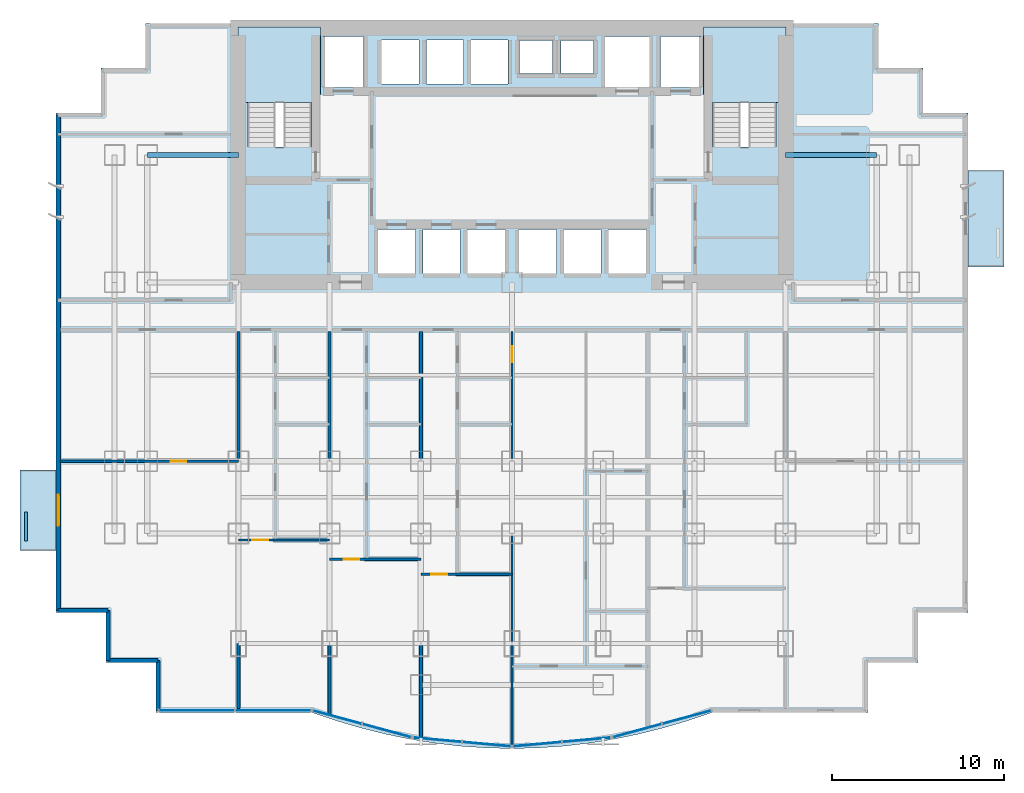
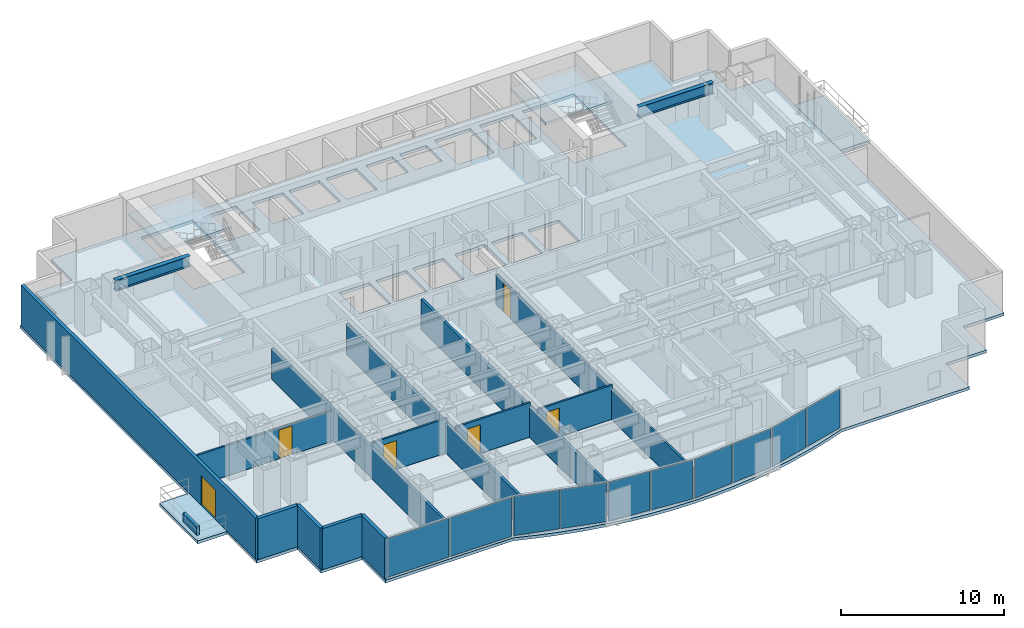
# One storey, part 4 of 10: 14 walls, 10 plates, 6 doors, 5 slabs, 2 beams, 6 openings, 7 elements without a shape of their own.
"""IFC4 building model written with IfcOpenShell, lengths in metres."""

from ifc_helpers import new_model, si_unit, direction, frame, frame_2d, origin, origin_2d, place, context, subcontext, project, spatial, polyline, rectangle, i_section, outline, extrude, source, transform, mapped, material, layer, layer_set, material_profile, profile_set, type_object, element, fill, aggregate, save


model = new_model("IFC4")

# Units and contexts
model_context = context("Model", 3, precision=1e-05, world=origin(), true_north=direction((0.0, 1.0)))
body_context = subcontext(model_context, "Body", "Model", "MODEL_VIEW")
ifc_project = project(units=[si_unit("LENGTHUNIT", "METRE"), si_unit("AREAUNIT", "SQUARE_METRE"), si_unit("VOLUMEUNIT", "CUBIC_METRE"), si_unit("PLANEANGLEUNIT", "RADIAN"), si_unit("MASSUNIT", "GRAM", prefix="KILO")], contexts=[model_context])

# Site, building, storey
site_placement = place(None, origin())
site = spatial("IfcSite", under=ifc_project, at=site_placement, CompositionType="ELEMENT")
building_placement = place(site_placement, origin())
building = spatial("IfcBuilding", under=site, at=building_placement, Name="Qianlan Lanfeng Residences", CompositionType="ELEMENT")
storey_placement = place(building_placement, frame((0.0, 0.0, 40.699951171875)))
storey = spatial("IfcBuildingStorey", under=building, at=storey_placement, Name="L10", CompositionType="ELEMENT", Elevation=40.699951171875)

# Beams
ifc_material_1 = material(Name="Steel SN490B", Category="steel")
ifc_material_profile = material_profile(ifc_material_1, i_section(OverallWidth=0.300048828125, OverallDepth=0.800048828125, WebThickness=0.01611328125, FlangeThickness=0.028076171875, at=origin_2d()), Name="H 800x300x16x28")
ifc_profile_set = profile_set([ifc_material_profile], Name="Steel SN490B")
beam_type = type_object("IfcBeamType", Name="G-950", PredefinedType="BEAM", material=ifc_profile_set)
for number, where, z_axis, x_axis, name in (
    (1, (5.300048828125, 32.60009765625, 2.679931640625), (1.0, 0.0, 0.0), (0.0, 1.0, 0.0), "Structural beam G-950"),
    (2, (42.39990234375, 32.60009765625, 2.679931640625), (1.0, 0.0, 0.0), (0.0, 1.0, 0.0), "Structural beam G-950"),
):
    element("IfcBeam", number, at=place(storey_placement, frame(where, z_axis=z_axis, x_axis=x_axis)), inside=storey, type_object=beam_type, Name=name, PredefinedType="BEAM", context=body_context, shape_type="SweptSolid", body=[
        extrude(i_section(OverallWidth=0.300048828125, OverallDepth=0.800048828125, WebThickness=0.01611328125, FlangeThickness=0.028076171875, at=origin_2d()), origin(), (0.0, 0.0, 1.0), 5.300048828125),
    ])

# Slabs
ifc_material_2 = material(Name="Concrete C42", Category="concrete")
ifc_layer_1 = layer(ifc_material_2, 0.219970703125)
ifc_layer_set_1 = layer_set([ifc_layer_1], Name="Concrete C42")
slab_type_1 = type_object("IfcSlabType", Name="S-BAL-220", PredefinedType="FLOOR", material=ifc_layer_set_1)
slab_1_placement = place(storey_placement, frame((0.0, 0.0, -0.219970703125)))
element("IfcSlab", 3, at=slab_1_placement, inside=storey, type_object=slab_type_1, Name="L10 Planted Tree Balcony Slab WB-S", PredefinedType="FLOOR", context=body_context, shape_type="SweptSolid", body=[
    extrude(outline(polyline([(0.0, 9.60009765625), (0.0, 14.300048828125), (-2.10009765625, 14.300048828125), (-2.10009765625, 9.60009765625), (0.0, 9.60009765625)])), origin(), (0.0, 0.0, 1.0), 0.219970703125),
])
slab_2_placement = place(storey_placement, frame((0.0, 0.0, -0.219970703125)))
element("IfcSlab", 4, at=slab_2_placement, inside=storey, type_object=slab_type_1, Name="L10 Planted Tree Balcony Slab EB-N", PredefinedType="FLOOR", context=body_context, shape_type="SweptSolid", body=[
    extrude(outline(polyline([(53.0, 31.699951171875), (53.0, 26.10009765625), (55.10009765625, 26.10009765625), (55.10009765625, 31.699951171875), (53.0, 31.699951171875)])), origin(), (0.0, 0.0, 1.0), 0.219970703125),
])
ifc_layer_2 = layer(ifc_material_2, 0.219970703125)
ifc_layer_set_2 = layer_set([ifc_layer_2], Name="Concrete C42")
slab_type_2 = type_object("IfcSlabType", Name="S-FL-220", PredefinedType="FLOOR", material=ifc_layer_set_2)
slab_3_placement = place(storey_placement, frame((0.0, 0.0, -0.219970703125)))
element("IfcSlab", 5, at=slab_3_placement, inside=storey, type_object=slab_type_2, Name="L10 Structural Floor Slab", PredefinedType="FLOOR", context=body_context, shape_type="SweptSolid", body=[
    extrude(outline(polyline([(0.0, 6.0), (2.89990234375, 6.0), (2.89990234375, 3.10009765625), (5.800048828125, 3.10009765625), (5.800048828125, 0.199951171875), (14.85009765625, 0.199951171875), (16.305908203125, -0.2919921875), (17.761962890625, -0.718994140625), (19.218994140625, -1.080078125), (20.675048828125, -1.375), (22.131103515625, -1.60498046875), (23.5869140625, -1.76904296875), (25.0439453125, -1.866943359375), (26.5, -1.89990234375), (27.9560546875, -1.866943359375), (29.412109375, -1.76904296875), (30.868896484375, -1.60498046875), (32.324951171875, -1.375), (33.781005859375, -1.080078125), (35.237060546875, -0.718994140625), (36.694091796875, -0.2919921875), (38.14990234375, 0.199951171875), (47.199951171875, 0.199951171875), (47.199951171875, 3.10009765625), (50.10009765625, 3.10009765625), (50.10009765625, 6.0), (53.0, 6.0), (53.0, 35.050048828125), (50.39990234375, 35.050048828125), (50.39990234375, 37.64990234375), (47.800048828125, 37.64990234375), (47.800048828125, 40.25), (5.199951171875, 40.25), (5.199951171875, 37.64990234375), (2.60009765625, 37.64990234375), (2.60009765625, 35.050048828125), (0.0, 35.050048828125), (0.0, 6.0)]), holes=[polyline([(11.139892578125, 33.080078125), (11.139892578125, 39.5), (14.820068359375, 39.5), (14.820068359375, 33.080078125), (11.139892578125, 33.080078125)]), polyline([(38.179931640625, 33.080078125), (38.179931640625, 39.5), (41.860107421875, 39.5), (41.860107421875, 33.080078125), (38.179931640625, 33.080078125)]), polyline([(15.52001953125, 36.52001953125), (15.52001953125, 39.47998046875), (17.8798828125, 39.47998046875), (17.8798828125, 36.52001953125), (15.52001953125, 36.52001953125)]), polyline([(35.1201171875, 36.52001953125), (35.1201171875, 39.47998046875), (37.47998046875, 39.47998046875), (37.47998046875, 36.52001953125), (35.1201171875, 36.52001953125)]), polyline([(31.919921875, 36.52001953125), (31.919921875, 39.47998046875), (34.47998046875, 39.47998046875), (34.47998046875, 36.52001953125), (31.919921875, 36.52001953125)]), polyline([(18.719970703125, 25.719970703125), (18.719970703125, 28.280029296875), (20.8798828125, 28.280029296875), (20.8798828125, 25.719970703125), (18.719970703125, 25.719970703125)]), polyline([(21.320068359375, 25.719970703125), (21.320068359375, 28.280029296875), (23.47998046875, 28.280029296875), (23.47998046875, 25.719970703125), (21.320068359375, 25.719970703125)]), polyline([(23.919921875, 25.719970703125), (23.919921875, 28.280029296875), (26.080078125, 28.280029296875), (26.080078125, 25.719970703125), (23.919921875, 25.719970703125)]), polyline([(26.919921875, 25.719970703125), (26.919921875, 28.280029296875), (29.080078125, 28.280029296875), (29.080078125, 25.719970703125), (26.919921875, 25.719970703125)]), polyline([(29.52001953125, 25.719970703125), (29.52001953125, 28.280029296875), (31.679931640625, 28.280029296875), (31.679931640625, 25.719970703125), (29.52001953125, 25.719970703125)]), polyline([(32.1201171875, 25.719970703125), (32.1201171875, 28.280029296875), (34.280029296875, 28.280029296875), (34.280029296875, 25.719970703125), (32.1201171875, 25.719970703125)]), polyline([(18.919921875, 36.719970703125), (18.919921875, 39.280029296875), (21.080078125, 39.280029296875), (21.080078125, 36.719970703125), (18.919921875, 36.719970703125)]), polyline([(21.52001953125, 36.719970703125), (21.52001953125, 39.280029296875), (23.679931640625, 39.280029296875), (23.679931640625, 36.719970703125), (21.52001953125, 36.719970703125)]), polyline([(24.1201171875, 36.719970703125), (24.1201171875, 39.280029296875), (26.280029296875, 39.280029296875), (26.280029296875, 36.719970703125), (24.1201171875, 36.719970703125)]), polyline([(26.949951171875, 37.35009765625), (26.949951171875, 39.25), (28.85009765625, 39.25), (28.85009765625, 37.35009765625), (26.949951171875, 37.35009765625)]), polyline([(29.35009765625, 37.35009765625), (29.35009765625, 39.25), (31.25, 39.25), (31.25, 37.35009765625), (29.35009765625, 37.35009765625)])]), origin(), (0.0, 0.0, 1.0), 0.219970703125),
])

# Stair, slab
stair_type = type_object("IfcStairType", Name="STR-MAIN", PredefinedType="HALF_TURN_STAIR", material=ifc_material_2)
stair_1_placement = place(storey_placement, origin())
stair_1 = element("IfcStair", 6, at=stair_1_placement, inside=storey, type_object=stair_type, Name="L10 Exit Stair ST-1", PredefinedType="HALF_TURN_STAIR")
ifc_layer_3 = layer(ifc_material_2, 0.179931640625)
ifc_layer_set_3 = layer_set([ifc_layer_3], Name="Concrete C42")
slab_type_3 = type_object("IfcSlabType", Name="S-LND-180", PredefinedType="LANDING", material=ifc_layer_set_3)
slab_4_placement = place(storey_placement, frame((0.0, 0.0, 1.449951171875)))
slab_4 = element("IfcSlab", 7, at=slab_4_placement, type_object=slab_type_3, Name="ST-1 landing 1", PredefinedType="LANDING", context=body_context, shape_type="SweptSolid", body=[
    extrude(outline(polyline([(10.580078125, 35.659912109375), (15.3798828125, 35.659912109375), (15.3798828125, 40.050048828125), (10.580078125, 40.050048828125), (10.580078125, 35.659912109375)])), origin(), (0.0, 0.0, 1.0), 0.2001953125),
])
aggregate(stair_1, [slab_4])

stair_2_placement = place(storey_placement, origin())
stair_2 = element("IfcStair", 8, at=stair_2_placement, inside=storey, type_object=stair_type, Name="L10 Exit Stair ST-2", PredefinedType="HALF_TURN_STAIR")
slab_5_placement = place(storey_placement, frame((0.0, 0.0, 1.449951171875)))
slab_5 = element("IfcSlab", 9, at=slab_5_placement, type_object=slab_type_3, Name="ST-2 landing 1", PredefinedType="LANDING", context=body_context, shape_type="SweptSolid", body=[
    extrude(outline(polyline([(37.6201171875, 35.659912109375), (42.419921875, 35.659912109375), (42.419921875, 40.050048828125), (37.6201171875, 40.050048828125), (37.6201171875, 35.659912109375)])), origin(), (0.0, 0.0, 1.0), 0.2001953125),
])
aggregate(stair_2, [slab_5])

# Curtain wall, plate
ifc_material_3 = material(Name="Anodised Bronze Aluminium 6063-T6", Category="aluminium")
ifc_layer_4 = layer(ifc_material_3, 0.219970703125)
ifc_layer_set_4 = layer_set([ifc_layer_4], Name="Anodised Bronze Aluminium 6063-T6")
curtain_wall_type = type_object("IfcCurtainWallType", Name="CW-02", PredefinedType="NOTDEFINED", material=ifc_layer_set_4)
curtain_wall_1_placement = place(storey_placement, origin())
curtain_wall_1 = element("IfcCurtainWall", 10, at=curtain_wall_1_placement, inside=storey, type_object=curtain_wall_type, Name="L10 Unitised Curtain Wall CWR-L10-02 (CW-02)", PredefinedType="NOTDEFINED")
ifc_material_4 = material(Name="Dark Bronze Tinted Insulated Glass", Category="glass")
ifc_layer_5 = layer(ifc_material_4, 0.0380859375)
ifc_layer_set_5 = layer_set([ifc_layer_5], Name="Dark Bronze Tinted Insulated Glass")
plate_type_1 = type_object("IfcPlateType", Name="PNL-GLZ-BRZ", PredefinedType="CURTAIN_PANEL", material=ifc_layer_set_5)
shared_shape_1 = source(origin(), body_context, "Body", "SweptSolid", [
    extrude(rectangle(XDim=2.89990234375, YDim=0.0380859375, at=origin_2d()), origin(), (0.0, 0.0, 1.0), 2.922119140625),
])
plate_1_placement = place(storey_placement, frame((16.345703125, -0.07958984375, 0.0791015625), z_axis=(0.0, 0.0, 1.0), x_axis=(0.9652627173, -0.261281240412, 0.0)))
plate_1 = element("IfcPlate", 11, at=plate_1_placement, type_object=plate_type_1, Name="CWR-L10-02 Curtain Panel 1", PredefinedType="CURTAIN_PANEL", context=body_context, shape_type="MappedRepresentation", body=[
    mapped(shared_shape_1, transform((0.0, 0.0, 0.0), scale=1.0)),
])

# Curtain wall, plates
curtain_wall_2_placement = place(storey_placement, origin())
curtain_wall_2 = element("IfcCurtainWall", 12, at=curtain_wall_2_placement, inside=storey, type_object=curtain_wall_type, Name="L10 Unitised Curtain Wall CWR-L10-05 (CW-02)", PredefinedType="NOTDEFINED")
plate_2_placement = place(storey_placement, frame((33.77978515625, -0.857421875, 0.0791015625), z_axis=(0.0, 0.0, 1.0), x_axis=(0.9652627173, 0.261281240412, 0.0)))
plate_2 = element("IfcPlate", 13, at=plate_2_placement, type_object=plate_type_1, Name="CWR-L10-05 Curtain Panel 1", PredefinedType="CURTAIN_PANEL", context=body_context, shape_type="MappedRepresentation", body=[
    mapped(shared_shape_1, transform((0.0, 0.0, 0.0), scale=1.0)),
])
plate_3_placement = place(storey_placement, frame((36.654296875, -0.07958984375, 0.0791015625), z_axis=(0.0, 0.0, 1.0), x_axis=(0.9652627173, 0.261281240412, 0.0)))
plate_3 = element("IfcPlate", 14, at=plate_3_placement, type_object=plate_type_1, Name="CWR-L10-05 Curtain Panel 2", PredefinedType="CURTAIN_PANEL", context=body_context, shape_type="MappedRepresentation", body=[
    mapped(shared_shape_1, transform((0.0, 0.0, 0.0), scale=1.0)),
])
aggregate(curtain_wall_2, [plate_2, plate_3])

# Curtain wall, plate
curtain_wall_3_placement = place(storey_placement, origin())
curtain_wall_3 = element("IfcCurtainWall", 15, at=curtain_wall_3_placement, inside=storey, type_object=curtain_wall_type, Name="L10 Unitised Curtain Wall CWR-L10-03 (CW-02)", PredefinedType="NOTDEFINED")
shared_shape_2 = source(origin(), body_context, "Body", "SweptSolid", [
    extrude(rectangle(XDim=2.7958984375, YDim=0.0380859375, at=origin_2d()), origin(), (0.0, 0.0, 1.0), 2.922119140625),
])
plate_4_placement = place(storey_placement, frame((22.1669921875, -1.389404296875, 0.0791015625), z_axis=(0.0, 0.0, 1.0), x_axis=(0.995964677764, -0.089746089862, 0.0)))
plate_4 = element("IfcPlate", 16, at=plate_4_placement, type_object=plate_type_1, Name="CWR-L10-03 Curtain Panel 1", PredefinedType="CURTAIN_PANEL", context=body_context, shape_type="MappedRepresentation", body=[
    mapped(shared_shape_2, transform((0.0, 0.0, 0.0), scale=1.0)),
])

curtain_wall_4_placement = place(storey_placement, origin())
curtain_wall_4 = element("IfcCurtainWall", 17, at=curtain_wall_4_placement, inside=storey, type_object=curtain_wall_type, Name="L10 Unitised Curtain Wall CWR-L10-04 (CW-02)", PredefinedType="NOTDEFINED")
plate_5_placement = place(storey_placement, frame((27.970947265625, -1.6474609375, 0.0791015625), z_axis=(0.0, 0.0, 1.0), x_axis=(0.995964677764, 0.089746089862, 0.0)))
plate_5 = element("IfcPlate", 18, at=plate_5_placement, type_object=plate_type_1, Name="CWR-L10-04 Curtain Panel 1", PredefinedType="CURTAIN_PANEL", context=body_context, shape_type="MappedRepresentation", body=[
    mapped(shared_shape_2, transform((0.0, 0.0, 0.0), scale=1.0)),
])

# Plate
shared_shape_3 = source(origin(), body_context, "Body", "SweptSolid", [
    extrude(rectangle(XDim=2.795654296875, YDim=0.0380859375, at=origin_2d()), origin(), (0.0, 0.0, 1.0), 2.922119140625),
])
plate_6_placement = place(storey_placement, frame((25.029052734375, -1.6474609375, 0.0791015625), z_axis=(0.0, 0.0, 1.0), x_axis=(0.995964677764, -0.089746089862, 0.0)))
plate_6 = element("IfcPlate", 19, at=plate_6_placement, type_object=plate_type_1, Name="CWR-L10-03 Curtain Panel 2", PredefinedType="CURTAIN_PANEL", context=body_context, shape_type="MappedRepresentation", body=[
    mapped(shared_shape_3, transform((0.0, 0.0, 0.0), scale=1.0)),
])

aggregate(curtain_wall_3, [plate_4, plate_6])

# Curtain wall, plates
curtain_wall_5_placement = place(storey_placement, origin())
curtain_wall_5 = element("IfcCurtainWall", 20, at=curtain_wall_5_placement, inside=storey, type_object=curtain_wall_type, Name="L10 Unitised Curtain Wall CWR-L10-01 (CW-02)", PredefinedType="NOTDEFINED")
shared_shape_4 = source(origin(), body_context, "Body", "SweptSolid", [
    extrude(rectangle(XDim=4.35693359375, YDim=0.0380859375, at=origin_2d()), origin(), (0.0, 0.0, 1.0), 2.922119140625),
])
plate_7_placement = place(storey_placement, frame((8.177490234375, 0.320068359375, 0.0791015625), z_axis=(0.0, 0.0, 1.0), x_axis=(1.0, 0.0, 0.0)))
plate_7 = element("IfcPlate", 21, at=plate_7_placement, type_object=plate_type_1, Name="CWR-L10-01 Curtain Panel 1", PredefinedType="CURTAIN_PANEL", context=body_context, shape_type="MappedRepresentation", body=[
    mapped(shared_shape_4, transform((0.0, 0.0, 0.0), scale=1.0)),
])
plate_8_placement = place(storey_placement, frame((12.612548828125, 0.320068359375, 0.0791015625), z_axis=(0.0, 0.0, 1.0), x_axis=(1.0, 0.0, 0.0)))
plate_8 = element("IfcPlate", 22, at=plate_8_placement, type_object=plate_type_1, Name="CWR-L10-01 Curtain Panel 2", PredefinedType="CURTAIN_PANEL", context=body_context, shape_type="MappedRepresentation", body=[
    mapped(shared_shape_4, transform((0.0, 0.0, 0.0), scale=1.0)),
])
aggregate(curtain_wall_5, [plate_7, plate_8])

# Plate
ifc_material_5 = material(Name="Perforated Champagne Gold Aluminium Panel", Category="aluminium")
ifc_layer_6 = layer(ifc_material_5, 0.0400390625)
ifc_layer_set_6 = layer_set([ifc_layer_6], Name="Perforated Champagne Gold Aluminium Panel")
plate_type_2 = type_object("IfcPlateType", Name="PNL-PRF-GLD", PredefinedType="CURTAIN_PANEL", material=ifc_layer_set_6)
shared_shape_5 = source(origin(), body_context, "Body", "SweptSolid", [
    extrude(rectangle(XDim=2.89990234375, YDim=0.0400390625, at=origin_2d()), origin(), (0.0, 0.0, 1.0), 2.922119140625),
])
plate_9_placement = place(storey_placement, frame((19.22021484375, -0.857421875, 0.0791015625), z_axis=(0.0, 0.0, 1.0), x_axis=(0.9652627173, -0.261281240412, 0.0)))
plate_9 = element("IfcPlate", 23, at=plate_9_placement, type_object=plate_type_2, Name="CWR-L10-02 Curtain Panel 2", PredefinedType="CURTAIN_PANEL", context=body_context, shape_type="MappedRepresentation", body=[
    mapped(shared_shape_5, transform((0.0, 0.0, 0.0), scale=1.0)),
])

aggregate(curtain_wall_1, [plate_1, plate_9])

shared_shape_6 = source(origin(), body_context, "Body", "SweptSolid", [
    extrude(rectangle(XDim=2.795654296875, YDim=0.0400390625, at=origin_2d()), origin(), (0.0, 0.0, 1.0), 2.922119140625),
])
plate_10_placement = place(storey_placement, frame((30.8330078125, -1.389404296875, 0.0791015625), z_axis=(0.0, 0.0, 1.0), x_axis=(0.995964677764, 0.089746089862, 0.0)))
plate_10 = element("IfcPlate", 24, at=plate_10_placement, type_object=plate_type_2, Name="CWR-L10-04 Curtain Panel 2", PredefinedType="CURTAIN_PANEL", context=body_context, shape_type="MappedRepresentation", body=[
    mapped(shared_shape_6, transform((0.0, 0.0, 0.0), scale=1.0)),
])

aggregate(curtain_wall_4, [plate_5, plate_10])

# Walls
ifc_layer_7 = layer(ifc_material_2, 0.239990234375)
ifc_layer_set_7 = layer_set([ifc_layer_7], Name="Concrete C42")
wall_type_1 = type_object("IfcWallType", Name="EW-240", PredefinedType="SOLIDWALL", material=ifc_layer_set_7)
wall_1_placement = place(storey_placement, frame((0.1201171875, 6.1201171875, 0.0), z_axis=(0.0, 0.0, 1.0), x_axis=(1.0, 0.0, 0.0)))
element("IfcWall", 25, at=wall_1_placement, inside=storey, type_object=wall_type_1, Name="L10 Exterior Facade Spandrel Wall 1", PredefinedType="SOLIDWALL", context=body_context, shape_type="SweptSolid", body=[
    extrude(rectangle(XDim=2.89990234375, YDim=0.239990234375, at=frame_2d((1.449951171875, 0.0))), origin(), (0.0, 0.0, 1.0), 3.080078125),
])
wall_2_placement = place(storey_placement, frame((3.02001953125, 6.1201171875, 0.0), z_axis=(0.0, 0.0, 1.0), x_axis=(0.0, -1.0, 0.0)))
element("IfcWall", 26, at=wall_2_placement, inside=storey, type_object=wall_type_1, Name="L10 Exterior Facade Spandrel Wall 2", PredefinedType="SOLIDWALL", context=body_context, shape_type="SweptSolid", body=[
    extrude(rectangle(XDim=2.900146484375, YDim=0.239990234375, at=frame_2d((1.4501953125, 0.0))), origin(), (0.0, 0.0, 1.0), 3.080078125),
])
for number, where, z_axis, x_axis, name in (
    (27, (3.02001953125, 3.219970703125, 0.0), (0.0, 0.0, 1.0), (1.0, 0.0, 0.0), "L10 Exterior Facade Spandrel Wall 3"),
    (28, (5.919921875, 3.219970703125, 0.0), (0.0, 0.0, 1.0), (0.0, -1.0, 0.0), "L10 Exterior Facade Spandrel Wall 4"),
):
    element("IfcWall", number, at=place(storey_placement, frame(where, z_axis=z_axis, x_axis=x_axis)), inside=storey, type_object=wall_type_1, Name=name, PredefinedType="SOLIDWALL", context=body_context, shape_type="SweptSolid", body=[
        extrude(rectangle(XDim=2.89990234375, YDim=0.239990234375, at=frame_2d((1.449951171875, 0.0))), origin(), (0.0, 0.0, 1.0), 3.080078125),
    ])

# Wall, opening, door
wall_3_placement = place(storey_placement, frame((0.1201171875, 34.929931640625, 0.0), z_axis=(0.0, 0.0, 1.0), x_axis=(0.0, -1.0, 0.0)))
wall_3 = element("IfcWall", 29, at=wall_3_placement, inside=storey, type_object=wall_type_1, Name="L10 Terrace/Balcony Access Exterior Wall 21", PredefinedType="SOLIDWALL", context=body_context, shape_type="SweptSolid", body=[
    extrude(rectangle(XDim=28.809814453125, YDim=0.239990234375, at=frame_2d((14.40478515625, 0.0))), origin(), (0.0, 0.0, 1.0), 3.080078125),
])
opening_1_placement = place(wall_3_placement, frame((22.080078125, 0.0, 0.0)))
opening_1 = element("IfcOpeningElement", 30, at=opening_1_placement, cuts=wall_3, Name="Opening L10-D-WB-S", PredefinedType="OPENING", context=body_context, shape_type="SweptSolid", body=[
    extrude(rectangle(XDim=1.800048828125, YDim=2.199951171875, at=frame_2d((0.89990234375, 1.10009765625))), frame((0.0, 0.1298828125, 0.0), z_axis=(0.0, -1.0, 0.0), x_axis=(1.0, 0.0, 0.0)), (0.0, 0.0, 1.0), 0.260009765625),
])
ifc_material_6 = material(Name="Anodised Bronze Aluminium Framed Glass", Category="aluminium")
door_type_1 = type_object("IfcDoorType", Name="DT-BAL1", OperationType="NOTDEFINED", PredefinedType="DOOR", material=ifc_material_6)
door_1_placement = place(opening_1_placement, frame((1.800048828125, 0.0, 0.0), z_axis=(0.0, 0.0, 1.0), x_axis=(-1.0, 0.0, 0.0)))
door_1 = element("IfcDoor", 31, at=door_1_placement, inside=storey, type_object=door_type_1, Name="L10 Exterior Access Door WB-S", OperationType="DOUBLE_DOOR_SLIDING", OverallHeight=2.199951171875, OverallWidth=1.800048828125, PredefinedType="DOOR", context=body_context, shape_type="SweptSolid", body=[
    extrude(rectangle(XDim=1.800048828125, YDim=2.199951171875, at=frame_2d((0.89990234375, 1.10009765625))), frame((0.0, 0.02490234375, 0.0), z_axis=(0.0, -1.0, 0.0), x_axis=(1.0, 0.0, 0.0)), (0.0, 0.0, 1.0), 0.050048828125),
])
fill(opening_1, door_1)

# Wall
ifc_layer_8 = layer(ifc_material_2, 0.199951171875)
ifc_layer_set_8 = layer_set([ifc_layer_8], Name="Concrete C42")
wall_type_2 = type_object("IfcWallType", Name="PL-TREE-200", PredefinedType="PARAPET", material=ifc_layer_set_8)
wall_4_placement = place(storey_placement, frame((-1.75, 10.14990234375, 0.0), z_axis=(0.0, 0.0, 1.0), x_axis=(0.0, 1.0, 0.0)))
element("IfcWall", 32, at=wall_4_placement, inside=storey, type_object=wall_type_2, Name="L10 West Tree Planter Curb WB-S", PredefinedType="PARAPET", context=body_context, shape_type="SweptSolid", body=[
    extrude(rectangle(XDim=1.7001953125, YDim=0.199951171875, at=frame_2d((0.85009765625, 0.0))), origin(), (0.0, 0.0, 1.0), 0.650146484375),
])

# Wall, opening, door
ifc_material_7 = material(Name="Moisture-Resistant Gypsum Partition 135 mm")
ifc_layer_9 = layer(ifc_material_7, 0.135009765625)
ifc_layer_set_9 = layer_set([ifc_layer_9], Name="Moisture-Resistant Gypsum Partition 135 mm")
wall_type_3 = type_object("IfcWallType", Name="PW-135", PredefinedType="PARTITIONING", material=ifc_layer_set_9)
wall_5_placement = place(storey_placement, frame((10.60009765625, 10.219970703125, 0.0), z_axis=(0.0, 0.0, 1.0), x_axis=(1.0, 0.0, 0.0)))
wall_5 = element("IfcWall", 33, at=wall_5_placement, inside=storey, type_object=wall_type_3, Name="L10 U01 Living Divider", PredefinedType="PARTITIONING", context=body_context, shape_type="SweptSolid", body=[
    extrude(rectangle(XDim=5.2998046875, YDim=0.135009765625, at=frame_2d((2.64990234375, 0.0))), origin(), (0.0, 0.0, 1.0), 2.570068359375),
])
opening_2_placement = place(wall_5_placement, frame((0.81494140625, 0.0, 0.0)))
opening_2 = element("IfcOpeningElement", 34, at=opening_2_placement, cuts=wall_5, Name="Opening L10-D16", PredefinedType="OPENING", context=body_context, shape_type="SweptSolid", body=[
    extrude(rectangle(XDim=0.919921875, YDim=2.14990234375, at=frame_2d((0.4599609375, 1.074951171875))), frame((0.0, 0.07763671875, 0.0), z_axis=(0.0, -1.0, 0.0), x_axis=(1.0, 0.0, 0.0)), (0.0, 0.0, 1.0), 0.155029296875),
])
ifc_material_8 = material(Name="Glazed Timber Kitchen/Study Door", Category="wood")
door_type_2 = type_object("IfcDoorType", Name="DT-INT", OperationType="NOTDEFINED", PredefinedType="DOOR", material=ifc_material_8)
door_2_placement = place(opening_2_placement, frame((0.919921875, 0.0, 0.0), z_axis=(0.0, 0.0, 1.0), x_axis=(-1.0, 0.0, 0.0)))
door_2 = element("IfcDoor", 35, at=door_2_placement, inside=storey, type_object=door_type_2, Name="L10 U01 Living Passage Door L10-D16 (DT-INT)", OperationType="SINGLE_SWING_LEFT", OverallHeight=2.14990234375, OverallWidth=0.919921875, PredefinedType="DOOR", context=body_context, shape_type="SweptSolid", body=[
    extrude(rectangle(XDim=0.919921875, YDim=2.14990234375, at=frame_2d((0.4599609375, 1.074951171875))), frame((0.0, 0.02490234375, 0.0), z_axis=(0.0, -1.0, 0.0), x_axis=(1.0, 0.0, 0.0)), (0.0, 0.0, 1.0), 0.050048828125),
])
fill(opening_2, door_2)

wall_6_placement = place(storey_placement, frame((15.89990234375, 9.112060546875, 0.0), z_axis=(0.0, 0.0, 1.0), x_axis=(1.0, 0.0, 0.0)))
wall_6 = element("IfcWall", 36, at=wall_6_placement, inside=storey, type_object=wall_type_3, Name="L10 U02 Living Divider", PredefinedType="PARTITIONING", context=body_context, shape_type="SweptSolid", body=[
    extrude(rectangle(XDim=5.300048828125, YDim=0.135009765625, at=frame_2d((2.64990234375, 0.0))), origin(), (0.0, 0.0, 1.0), 2.570068359375),
])
opening_3_placement = place(wall_6_placement, frame((0.81494140625, 0.0, 0.0)))
opening_3 = element("IfcOpeningElement", 37, at=opening_3_placement, cuts=wall_6, Name="Opening L10-D21", PredefinedType="OPENING", context=body_context, shape_type="SweptSolid", body=[
    extrude(rectangle(XDim=0.919921875, YDim=2.14990234375, at=frame_2d((0.4599609375, 1.074951171875))), frame((0.0, 0.07763671875, 0.0), z_axis=(0.0, -1.0, 0.0), x_axis=(1.0, 0.0, 0.0)), (0.0, 0.0, 1.0), 0.155029296875),
])
door_3_placement = place(opening_3_placement, origin())
door_3 = element("IfcDoor", 38, at=door_3_placement, inside=storey, type_object=door_type_2, Name="L10 U02 Living Passage Door L10-D21 (DT-INT)", OperationType="SINGLE_SWING_LEFT", OverallHeight=2.14990234375, OverallWidth=0.919921875, PredefinedType="DOOR", context=body_context, shape_type="SweptSolid", body=[
    extrude(rectangle(XDim=0.919921875, YDim=2.14990234375, at=frame_2d((0.4599609375, 1.074951171875))), frame((0.0, 0.02490234375, 0.0), z_axis=(0.0, -1.0, 0.0), x_axis=(1.0, 0.0, 0.0)), (0.0, 0.0, 1.0), 0.050048828125),
])
fill(opening_3, door_3)

wall_7_placement = place(storey_placement, frame((26.5, -1.679931640625, 0.0), z_axis=(0.0, 0.0, 1.0), x_axis=(0.0, 1.0, 0.0)))
wall_7 = element("IfcWall", 39, at=wall_7_placement, inside=storey, type_object=wall_type_3, Name="L10 U03 Bay Spine Wall 1", PredefinedType="PARTITIONING", context=body_context, shape_type="SweptSolid", body=[
    extrude(rectangle(XDim=24.030029296875, YDim=0.135009765625, at=frame_2d((12.01513671875, 0.0))), origin(), (0.0, 0.0, 1.0), 2.275146484375),
])
opening_4_placement = place(wall_7_placement, frame((22.2451171875, 0.0, 0.0)))
opening_4 = element("IfcOpeningElement", 40, at=opening_4_placement, cuts=wall_7, Name="Opening L10-D26", PredefinedType="OPENING", context=body_context, shape_type="SweptSolid", body=[
    extrude(rectangle(XDim=0.919921875, YDim=2.14990234375, at=frame_2d((0.4599609375, 1.074951171875))), frame((0.0, 0.07763671875, 0.0), z_axis=(0.0, -1.0, 0.0), x_axis=(1.0, 0.0, 0.0)), (0.0, 0.0, 1.0), 0.155029296875),
])
door_4_placement = place(opening_4_placement, origin())
door_4 = element("IfcDoor", 41, at=door_4_placement, inside=storey, type_object=door_type_2, Name="L10 U03 Internal Hall Door L10-D26 (DT-INT)", OperationType="SINGLE_SWING_LEFT", OverallHeight=2.14990234375, OverallWidth=0.919921875, PredefinedType="DOOR", context=body_context, shape_type="SweptSolid", body=[
    extrude(rectangle(XDim=0.919921875, YDim=2.14990234375, at=frame_2d((0.4599609375, 1.074951171875))), frame((0.0, 0.02490234375, 0.0), z_axis=(0.0, -1.0, 0.0), x_axis=(1.0, 0.0, 0.0)), (0.0, 0.0, 1.0), 0.050048828125),
])
fill(opening_4, door_4)

wall_8_placement = place(storey_placement, frame((21.199951171875, 8.23388671875, 0.0), z_axis=(0.0, 0.0, 1.0), x_axis=(1.0, 0.0, 0.0)))
wall_8 = element("IfcWall", 42, at=wall_8_placement, inside=storey, type_object=wall_type_3, Name="L10 U03 Living Divider", PredefinedType="PARTITIONING", context=body_context, shape_type="SweptSolid", body=[
    extrude(rectangle(XDim=5.300048828125, YDim=0.135009765625, at=frame_2d((2.64990234375, 0.0))), origin(), (0.0, 0.0, 1.0), 2.570068359375),
])
opening_5_placement = place(wall_8_placement, frame((0.614990234375, 0.0, 0.0)))
opening_5 = element("IfcOpeningElement", 43, at=opening_5_placement, cuts=wall_8, Name="Opening L10-D27", PredefinedType="OPENING", context=body_context, shape_type="SweptSolid", body=[
    extrude(rectangle(XDim=0.919921875, YDim=2.14990234375, at=frame_2d((0.4599609375, 1.074951171875))), frame((0.0, 0.07763671875, 0.0), z_axis=(0.0, -1.0, 0.0), x_axis=(1.0, 0.0, 0.0)), (0.0, 0.0, 1.0), 0.155029296875),
])
door_5_placement = place(opening_5_placement, frame((0.919921875, 0.0, 0.0), z_axis=(0.0, 0.0, 1.0), x_axis=(-1.0, 0.0, 0.0)))
door_5 = element("IfcDoor", 44, at=door_5_placement, inside=storey, type_object=door_type_2, Name="L10 U03 Living Passage Door L10-D27 (DT-INT)", OperationType="SINGLE_SWING_RIGHT", OverallHeight=2.14990234375, OverallWidth=0.919921875, PredefinedType="DOOR", context=body_context, shape_type="SweptSolid", body=[
    extrude(rectangle(XDim=0.919921875, YDim=2.14990234375, at=frame_2d((0.4599609375, 1.074951171875))), frame((0.0, 0.02490234375, 0.0), z_axis=(0.0, -1.0, 0.0), x_axis=(1.0, 0.0, 0.0)), (0.0, 0.0, 1.0), 0.050048828125),
])
fill(opening_5, door_5)

wall_9_placement = place(storey_placement, frame((0.219970703125, 14.800048828125, 0.0), z_axis=(0.0, 0.0, 1.0), x_axis=(1.0, 0.0, 0.0)))
wall_9 = element("IfcWall", 45, at=wall_9_placement, inside=storey, type_object=wall_type_3, Name="L10 SWP Mid Partition", PredefinedType="PARTITIONING", context=body_context, shape_type="SweptSolid", body=[
    extrude(rectangle(XDim=10.380126953125, YDim=0.135009765625, at=frame_2d((5.18994140625, 0.0))), origin(), (0.0, 0.0, 1.0), 2.275146484375),
])
opening_6_placement = place(wall_9_placement, frame((6.429931640625, 0.0, 0.0)))
opening_6 = element("IfcOpeningElement", 46, at=opening_6_placement, cuts=wall_9, Name="Opening L10-D40", PredefinedType="OPENING", context=body_context, shape_type="SweptSolid", body=[
    extrude(rectangle(XDim=0.919921875, YDim=2.14990234375, at=frame_2d((0.4599609375, 1.074951171875))), frame((0.0, 0.07763671875, 0.0), z_axis=(0.0, -1.0, 0.0), x_axis=(1.0, 0.0, 0.0)), (0.0, 0.0, 1.0), 0.155029296875),
])
door_6_placement = place(opening_6_placement, origin())
door_6 = element("IfcDoor", 47, at=door_6_placement, inside=storey, type_object=door_type_2, Name="L10 SWP Inner Door L10-D40 (DT-INT)", OperationType="SINGLE_SWING_LEFT", OverallHeight=2.14990234375, OverallWidth=0.919921875, PredefinedType="DOOR", context=body_context, shape_type="SweptSolid", body=[
    extrude(rectangle(XDim=0.919921875, YDim=2.14990234375, at=frame_2d((0.4599609375, 1.074951171875))), frame((0.0, 0.02490234375, 0.0), z_axis=(0.0, -1.0, 0.0), x_axis=(1.0, 0.0, 0.0)), (0.0, 0.0, 1.0), 0.050048828125),
])
fill(opening_6, door_6)

# Walls
ifc_material_9 = material(Name="Double-Layer Acoustic Gypsum Stud Wall 180 mm")
ifc_layer_10 = layer(ifc_material_9, 0.179931640625)
ifc_layer_set_10 = layer_set([ifc_layer_10], Name="Double-Layer Acoustic Gypsum Stud Wall 180 mm")
wall_type_4 = type_object("IfcWallType", Name="PW-180", PredefinedType="PARTITIONING", material=ifc_layer_set_10)
wall_10_placement = place(storey_placement, frame((10.60009765625, 0.419921875, 0.0), z_axis=(0.0, 0.0, 1.0), x_axis=(0.0, 1.0, 0.0)))
element("IfcWall", 48, at=wall_10_placement, inside=storey, type_object=wall_type_4, Name="L10 Wing Boundary Party Wall W0", PredefinedType="PARTITIONING", context=body_context, shape_type="SweptSolid", body=[
    extrude(rectangle(XDim=21.93017578125, YDim=0.179931640625, at=frame_2d((10.965087890625, 0.0))), origin(), (0.0, 0.0, 1.0), 2.275146484375),
])
wall_11_placement = place(storey_placement, frame((15.89990234375, 0.076904296875, 0.0), z_axis=(0.0, 0.0, 1.0), x_axis=(0.0, 1.0, 0.0)))
element("IfcWall", 49, at=wall_11_placement, inside=storey, type_object=wall_type_4, Name="L10 Inter-Tenancy Party Wall 2", PredefinedType="PARTITIONING", context=body_context, shape_type="SweptSolid", body=[
    extrude(rectangle(XDim=22.273193359375, YDim=0.179931640625, at=frame_2d((11.13671875, 0.0))), origin(), (0.0, 0.0, 1.0), 2.275146484375),
])
wall_12_placement = place(storey_placement, frame((21.199951171875, -1.235107421875, 0.0), z_axis=(0.0, 0.0, 1.0), x_axis=(0.0, 1.0, 0.0)))
element("IfcWall", 50, at=wall_12_placement, inside=storey, type_object=wall_type_4, Name="L10 Inter-Tenancy Party Wall 3", PredefinedType="PARTITIONING", context=body_context, shape_type="SweptSolid", body=[
    extrude(rectangle(XDim=23.585205078125, YDim=0.179931640625, at=frame_2d((11.79248046875, 0.0))), origin(), (0.0, 0.0, 1.0), 2.275146484375),
])

save(model, "model.ifc")
